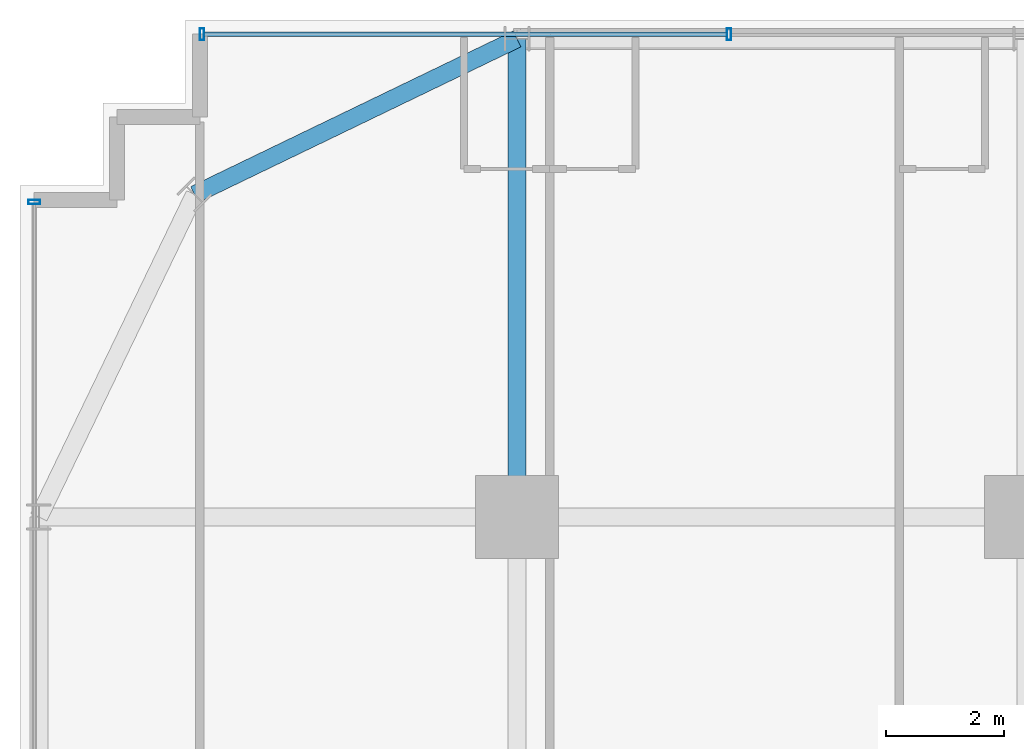
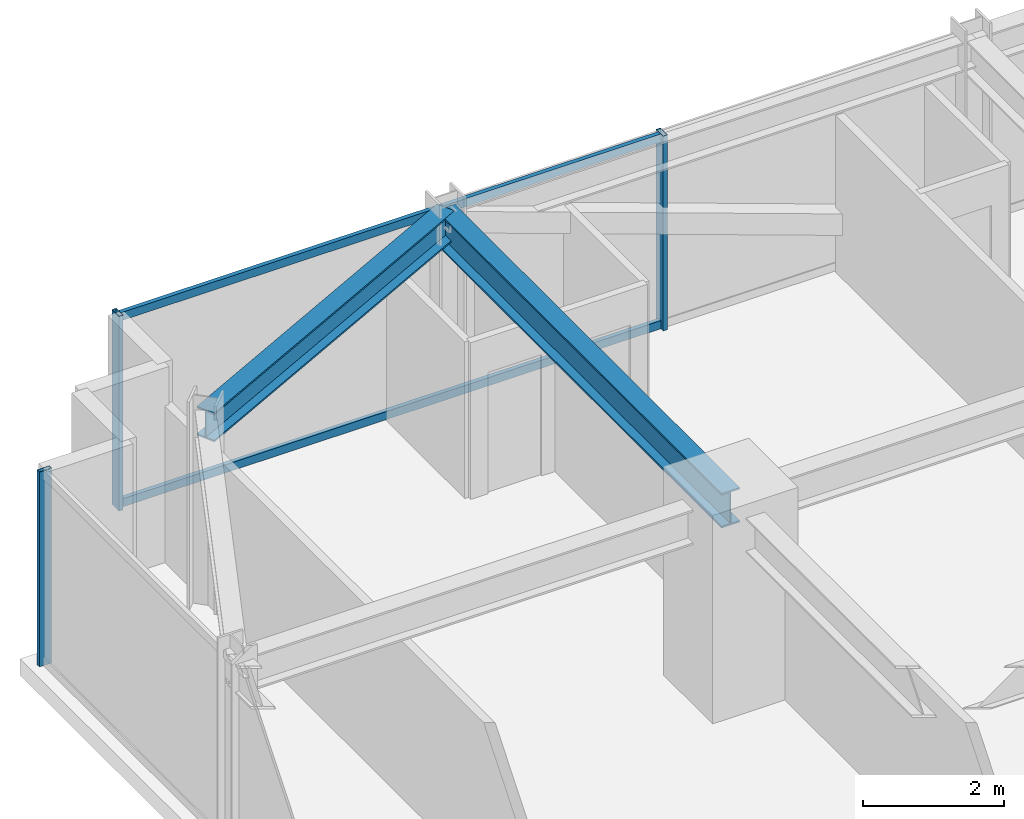
# One storey, part 25 of 43: 5 members, 2 beams, 2 elements without a shape of their own.
"""IFC4 building model written with IfcOpenShell, lengths in metres."""

from ifc_helpers import new_model, si_unit, direction, frame, origin, origin_2d, place, context, subcontext, project, spatial, hollow_rectangle, i_section, extrude, source, transform, mapped, material, material_profile, profile_set, type_object, element, aggregate, save


model = new_model("IFC4")

# Units and contexts
model_context = context("Model", 3, precision=1e-05, world=origin(), true_north=direction((0.0, 1.0)))
body_context = subcontext(model_context, "Body", "Model", "MODEL_VIEW")
ifc_project = project(units=[si_unit("LENGTHUNIT", "METRE"), si_unit("AREAUNIT", "SQUARE_METRE"), si_unit("VOLUMEUNIT", "CUBIC_METRE"), si_unit("PLANEANGLEUNIT", "RADIAN"), si_unit("MASSUNIT", "GRAM", prefix="KILO")], contexts=[model_context])

# Site, building, storey
site_placement = place(None, origin())
site = spatial("IfcSite", under=ifc_project, at=site_placement, CompositionType="ELEMENT")
building_placement = place(site_placement, origin())
building = spatial("IfcBuilding", under=site, at=building_placement, Name="Nahalor Promenade Grand Hotel", CompositionType="ELEMENT")
storey_placement = place(building_placement, frame((0.0, 0.0, 57.949951171875)))
storey = spatial("IfcBuildingStorey", under=building, at=storey_placement, Name="L13", CompositionType="ELEMENT", Elevation=57.949951171875)

# Beams
ifc_material_1 = material(Name="Steel S355JR", Category="steel")
ifc_material_profile_1 = material_profile(ifc_material_1, i_section(OverallWidth=0.3, OverallDepth=0.6, WebThickness=0.0155, FlangeThickness=0.03, at=origin_2d()), Name="HEB 600")
ifc_profile_set_1 = profile_set([ifc_material_profile_1], Name="Steel S355JR")
beam_type_1 = type_object("IfcBeamType", Name="Beam-Girder-HEB600", PredefinedType="BEAM", material=ifc_profile_set_1)
shared_shape_1 = source(origin(), body_context, "Body", "SweptSolid", [
    extrude(i_section(OverallWidth=0.3, OverallDepth=0.6, WebThickness=0.0155, FlangeThickness=0.03, at=origin_2d()), origin(), (0.0, 0.0, 1.0), 8.080078125),
])
beam_1_placement = place(storey_placement, frame((-17.0, 17.0, 3.070068359375), z_axis=(0.0, 1.0, 0.0), x_axis=(-1.0, 0.0, 0.0)))
element("IfcBeam", 1, at=beam_1_placement, inside=storey, type_object=beam_type_1, Name="BM-L13-GY-0-4", PredefinedType="BEAM", context=body_context, shape_type="MappedRepresentation", body=[
    mapped(shared_shape_1, transform((0.0, 0.0, 0.0), scale=1.0)),
])
ifc_material_profile_2 = material_profile(ifc_material_1, i_section(OverallWidth=0.3, OverallDepth=0.5, WebThickness=0.0145, FlangeThickness=0.028, at=origin_2d()), Name="HEB 500")
ifc_profile_set_2 = profile_set([ifc_material_profile_2], Name="Steel S355JR")
beam_type_2 = type_object("IfcBeamType", Name="Beam-Spandrel-HEB500", PredefinedType="SPANDREL", material=ifc_profile_set_2)
shared_shape_2 = source(origin(), body_context, "Body", "SweptSolid", [
    extrude(i_section(OverallWidth=0.3, OverallDepth=0.5, WebThickness=0.0145, FlangeThickness=0.028, at=origin_2d()), origin(), (0.0, 0.0, 1.0), 6.051513671875),
])
beam_2_placement = place(storey_placement, frame((-17.0, 25.080078125, 3.1201171875), z_axis=(-0.900608818852, -0.434630596492, 0.0), x_axis=(0.434630596492, -0.900608818852, 0.0)))
element("IfcBeam", 2, at=beam_2_placement, inside=storey, type_object=beam_type_2, Name="BM-L13-SPC-NW-1", PredefinedType="SPANDREL", context=body_context, shape_type="MappedRepresentation", body=[
    mapped(shared_shape_2, transform((0.0, 0.0, 0.0), scale=1.0)),
])

# Curtain wall, members
ifc_material_2 = material(Name="Anodised Bronze Aluminium EN AW-6063 T6", Category="aluminium")
curtain_wall_type = type_object("IfcCurtainWallType", Name="CW3 Elliptical-Void Collar Unitised Curtain Wall", PredefinedType="USERDEFINED", material=ifc_material_2)
curtain_wall_1_placement = place(storey_placement, origin())
curtain_wall_1 = element("IfcCurtainWall", 3, at=curtain_wall_1_placement, inside=storey, type_object=curtain_wall_type, Name="L13 Curtain Wall CW-L13-N-1", ObjectType="UNITISED_CURTAIN_WALL", PredefinedType="USERDEFINED")
ifc_material_profile_3 = material_profile(ifc_material_2, hollow_rectangle(XDim=0.07, YDim=0.14, WallThickness=0.004, at=origin_2d()), Name="CWT 70x140x4")
ifc_profile_set_3 = profile_set([ifc_material_profile_3], Name="Anodised Bronze Aluminium EN AW-6063 T6")
member_type_1 = type_object("IfcMemberType", Name="CWT3 Void Collar Transom 70x140", PredefinedType="USERDEFINED", material=ifc_profile_set_3)
shared_shape_3 = source(origin(), body_context, "Body", "SweptSolid", [
    extrude(hollow_rectangle(XDim=0.07, YDim=0.14, WallThickness=0.004, at=origin_2d()), origin(), (0.0, 0.0, 1.0), 8.839111328125),
])
member_1_placement = place(storey_placement, frame((-22.2900390625, 25.159912109375, 0.070068359375), z_axis=(1.0, 0.0, 0.0), x_axis=(0.0, 1.0, 0.0)))
member_1 = element("IfcMember", 4, at=member_1_placement, type_object=member_type_1, Name="CW-L13-N-1 Transom 0-0", ObjectType="TRANSOM", PredefinedType="USERDEFINED", context=body_context, shape_type="MappedRepresentation", body=[
    mapped(shared_shape_3, transform((0.0, 0.0, 0.0), scale=1.0)),
])
member_2_placement = place(storey_placement, frame((-22.2900390625, 25.159912109375, 3.300048828125), z_axis=(1.0, 0.0, 0.0), x_axis=(0.0, 1.0, 0.0)))
member_2 = element("IfcMember", 5, at=member_2_placement, type_object=member_type_1, Name="CW-L13-N-1 Transom 0-1", ObjectType="TRANSOM", PredefinedType="USERDEFINED", context=body_context, shape_type="MappedRepresentation", body=[
    mapped(shared_shape_3, transform((0.0, 0.0, 0.0), scale=1.0)),
])
ifc_material_profile_4 = material_profile(ifc_material_2, hollow_rectangle(XDim=0.07, YDim=0.2, WallThickness=0.005, at=origin_2d()), Name="CWM 70x200x5")
ifc_profile_set_4 = profile_set([ifc_material_profile_4], Name="Anodised Bronze Aluminium EN AW-6063 T6")
member_type_2 = type_object("IfcMemberType", Name="CWM3 Void Collar Mullion 70x200", PredefinedType="MULLION", material=ifc_profile_set_4)
shared_shape_4 = source(origin(), body_context, "Body", "SweptSolid", [
    extrude(hollow_rectangle(XDim=0.07, YDim=0.2, WallThickness=0.005, at=origin_2d()), origin(), (0.0, 0.0, 1.0), 3.3701171875),
])
member_3_placement = place(storey_placement, frame((-22.324951171875, 25.159912109375, 0.0), z_axis=(0.0, 0.0, 1.0), x_axis=(1.0, 0.0, 0.0)))
member_3 = element("IfcMember", 6, at=member_3_placement, type_object=member_type_2, Name="CW-L13-N-1 Mullion 0", PredefinedType="MULLION", context=body_context, shape_type="MappedRepresentation", body=[
    mapped(shared_shape_4, transform((0.0, 0.0, 0.0), scale=1.0)),
])
member_4_placement = place(storey_placement, frame((-13.416015625, 25.159912109375, 0.0), z_axis=(0.0, 0.0, 1.0), x_axis=(1.0, 0.0, 0.0)))
member_4 = element("IfcMember", 7, at=member_4_placement, type_object=member_type_2, Name="CW-L13-N-1 Mullion 1", PredefinedType="MULLION", context=body_context, shape_type="MappedRepresentation", body=[
    mapped(shared_shape_4, transform((0.0, 0.0, 0.0), scale=1.0)),
])
aggregate(curtain_wall_1, [member_3, member_4, member_1, member_2])

# Curtain wall, member
curtain_wall_2_placement = place(storey_placement, origin())
curtain_wall_2 = element("IfcCurtainWall", 8, at=curtain_wall_2_placement, inside=storey, type_object=curtain_wall_type, Name="L13 Curtain Wall CW-L13-W-2", ObjectType="UNITISED_CURTAIN_WALL", PredefinedType="USERDEFINED")
member_5_placement = place(storey_placement, frame((-25.159912109375, 22.324951171875, 0.0), z_axis=(0.0, 0.0, 1.0), x_axis=(0.0, 1.0, 0.0)))
member_5 = element("IfcMember", 9, at=member_5_placement, type_object=member_type_2, Name="CW-L13-W-2 Mullion 2", PredefinedType="MULLION", context=body_context, shape_type="MappedRepresentation", body=[
    mapped(shared_shape_4, transform((0.0, 0.0, 0.0), scale=1.0)),
])
aggregate(curtain_wall_2, [member_5])

save(model, "model.ifc")
